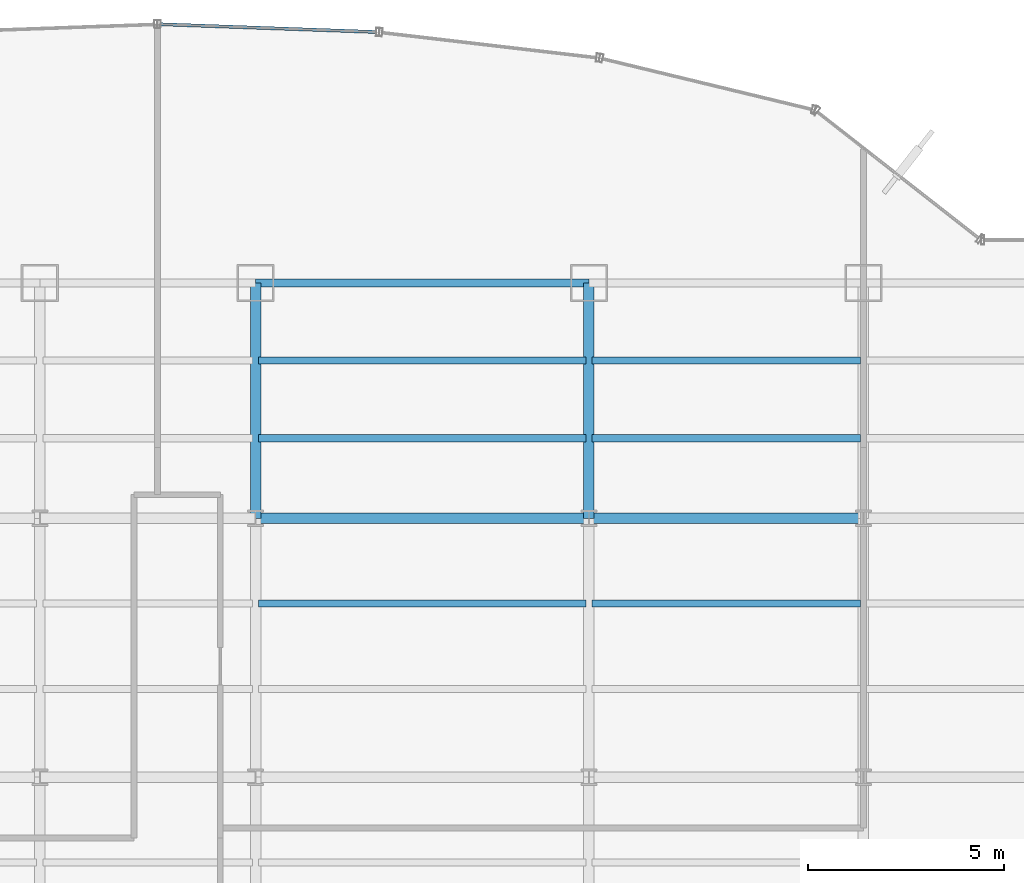
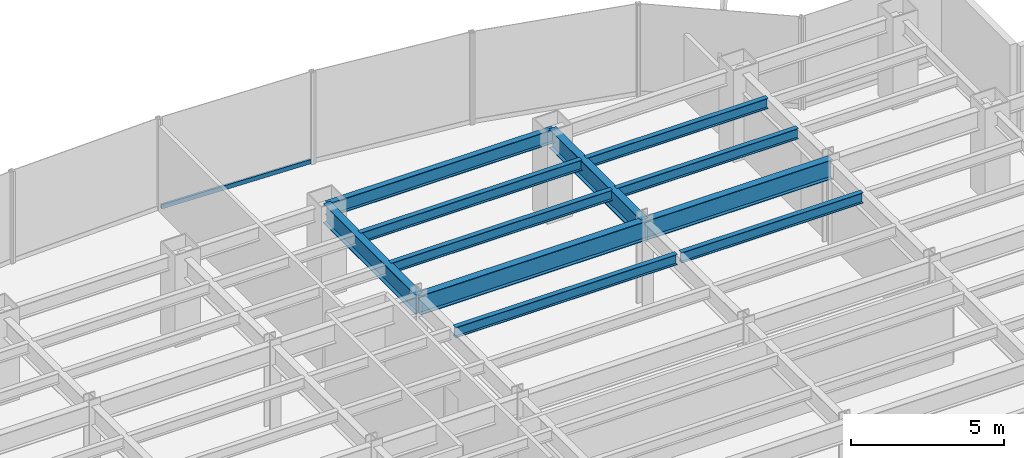
# One storey, part 14 of 23: 11 beams, 1 member, 1 element without a shape of its own.
"""IFC4 building model written with IfcOpenShell, lengths in metres."""

from ifc_helpers import new_model, si_unit, derived_unit, direction, frame, origin, origin_2d, place, context, subcontext, project, spatial, hollow_rectangle, i_section, extrude, source, transform, mapped, material, material_profile, profile_set, type_object, element, aggregate, save


model = new_model("IFC4")

# Units and contexts
model_context = context("Model", 3, precision=1e-05, world=origin(), true_north=direction((0.0, 1.0)))
body_context = subcontext(model_context, "Body", "Model", "MODEL_VIEW")
ifc_project = project(units=[si_unit("LENGTHUNIT", "METRE"), si_unit("AREAUNIT", "SQUARE_METRE"), si_unit("VOLUMEUNIT", "CUBIC_METRE"), si_unit("PLANEANGLEUNIT", "RADIAN"), si_unit("MASSUNIT", "GRAM", prefix="KILO"), derived_unit("THERMALTRANSMITTANCEUNIT", [(si_unit("POWERUNIT", "WATT"), 1), (si_unit("LENGTHUNIT", "METRE"), -2), (si_unit("THERMODYNAMICTEMPERATUREUNIT", "KELVIN"), -1)])], contexts=[model_context])

# Site, building, storey
site_placement = place(None, origin())
site = spatial("IfcSite", under=ifc_project, at=site_placement, CompositionType="ELEMENT")
building_placement = place(site_placement, origin())
building = spatial("IfcBuilding", under=site, at=building_placement, Name="Skarnbrae Concourse Arena and Tower", CompositionType="ELEMENT")
storey_placement = place(building_placement, frame((0.0, 0.0, 43.449951171875)))
storey = spatial("IfcBuildingStorey", under=building, at=storey_placement, Name="L09", CompositionType="ELEMENT", Elevation=43.449951171875)

# Beams
ifc_material_1 = material(Name="Steel CSA G40.21 350W", Category="steel")
ifc_material_profile_1 = material_profile(ifc_material_1, i_section(OverallWidth=0.26806640625, OverallDepth=0.77001953125, WebThickness=0.015625, FlangeThickness=0.025390625, at=origin_2d()), Name="W760X196")
ifc_profile_set_1 = profile_set([ifc_material_profile_1], Name="Steel CSA G40.21 350W")
beam_type_1 = type_object("IfcBeamType", Name="BM-GIRD-W760X196", PredefinedType="BEAM", material=ifc_profile_set_1)
shared_shape_1 = source(origin(), body_context, "Body", "SweptSolid", [
    extrude(i_section(OverallWidth=0.26806640625, OverallDepth=0.77001953125, WebThickness=0.015625, FlangeThickness=0.025390625, at=origin_2d()), origin(), (0.0, 0.0, 1.0), 7.0),
])
beam_1_placement = place(storey_placement, frame((42.0, 34.39990234375, 3.01513671875), z_axis=(1.0, 0.0, 0.0), x_axis=(0.0, 1.0, 0.0)))
element("IfcBeam", 1, at=beam_1_placement, inside=storey, type_object=beam_type_1, Name="L09 Primary E-W girder Y34.4-7", PredefinedType="BEAM", context=body_context, shape_type="MappedRepresentation", body=[
    mapped(shared_shape_1, transform((0.0, 0.0, 0.0))),
])
shared_shape_2 = source(origin(), body_context, "Body", "SweptSolid", [
    extrude(i_section(OverallWidth=0.26806640625, OverallDepth=0.77001953125, WebThickness=0.015625, FlangeThickness=0.025390625, at=origin_2d()), origin(), (0.0, 0.0, 1.0), 8.5),
])
beam_2_placement = place(storey_placement, frame((33.5, 34.39990234375, 3.01513671875), z_axis=(1.0, 0.0, 0.0), x_axis=(0.0, 1.0, 0.0)))
element("IfcBeam", 2, at=beam_2_placement, inside=storey, type_object=beam_type_1, Name="L09 Primary E-W girder Y34.4-6", PredefinedType="BEAM", context=body_context, shape_type="MappedRepresentation", body=[
    mapped(shared_shape_2, transform((0.0, 0.0, 0.0))),
])
shared_shape_3 = source(origin(), body_context, "Body", "SweptSolid", [
    extrude(i_section(OverallWidth=0.26806640625, OverallDepth=0.77001953125, WebThickness=0.015625, FlangeThickness=0.025390625, at=origin_2d()), origin(), (0.0, 0.0, 1.0), 6.0),
])
for number, where, z_axis, x_axis, name in (
    (3, (33.5, 34.39990234375, 3.01513671875), (0.0, 1.0, 0.0), (-1.0, 0.0, 0.0), "L09 Primary N-S girder X33.5-4"),
    (4, (42.0, 34.39990234375, 3.01513671875), (0.0, 1.0, 0.0), (-1.0, 0.0, 0.0), "L09 Primary N-S girder X42.0-5"),
):
    element("IfcBeam", number, at=place(storey_placement, frame(where, z_axis=z_axis, x_axis=x_axis)), inside=storey, type_object=beam_type_1, Name=name, PredefinedType="BEAM", context=body_context, shape_type="MappedRepresentation", body=[
        mapped(shared_shape_3, transform((0.0, 0.0, 0.0))),
    ])
ifc_material_profile_2 = material_profile(ifc_material_1, i_section(OverallWidth=0.214111328125, OverallDepth=0.549072265625, WebThickness=0.0146484375, FlangeThickness=0.023681640625, at=origin_2d()), Name="W530X138")
ifc_profile_set_2 = profile_set([ifc_material_profile_2], Name="Steel CSA G40.21 350W")
beam_type_2 = type_object("IfcBeamType", Name="BM-SPAN-W530X138", PredefinedType="SPANDREL", material=ifc_profile_set_2)
shared_shape_4 = source(origin(), body_context, "Body", "SweptSolid", [
    extrude(i_section(OverallWidth=0.214111328125, OverallDepth=0.549072265625, WebThickness=0.0146484375, FlangeThickness=0.023681640625, at=origin_2d()), origin(), (0.0, 0.0, 1.0), 8.5),
])
beam_3_placement = place(storey_placement, frame((33.5, 40.39990234375, 3.12548828125), z_axis=(1.0, 0.0, 0.0), x_axis=(0.0, 1.0, 0.0)))
element("IfcBeam", 5, at=beam_3_placement, inside=storey, type_object=beam_type_2, Name="L09 Perimeter spandrel Y40.4-5", PredefinedType="SPANDREL", context=body_context, shape_type="MappedRepresentation", body=[
    mapped(shared_shape_4, transform((0.0, 0.0, 0.0))),
])
ifc_material_profile_3 = material_profile(ifc_material_1, i_section(OverallWidth=0.180908203125, OverallDepth=0.4169921875, WebThickness=0.010986328125, FlangeThickness=0.018310546875, at=origin_2d()), Name="W410X85")
ifc_profile_set_3 = profile_set([ifc_material_profile_3], Name="Steel CSA G40.21 350W")
beam_type_3 = type_object("IfcBeamType", Name="BM-JOIST-W410X85", PredefinedType="JOIST", material=ifc_profile_set_3)
shared_shape_5 = source(origin(), body_context, "Body", "SweptSolid", [
    extrude(i_section(OverallWidth=0.180908203125, OverallDepth=0.4169921875, WebThickness=0.010986328125, FlangeThickness=0.018310546875, at=origin_2d()), origin(), (0.0, 0.0, 1.0), 8.33984375),
])
for number, where, z_axis, x_axis, name in (
    (6, (33.580078125, 32.221923828125, 3.191650390625), (1.0, 0.0, 0.0), (0.0, 1.0, 0.0), "L09 Secondary floor joist 3.2.6"),
    (7, (33.580078125, 36.43994140625, 3.191650390625), (1.0, 0.0, 0.0), (0.0, 1.0, 0.0), "L09 Secondary floor joist 4.1.5"),
    (8, (33.580078125, 38.419921875, 3.191650390625), (1.0, 0.0, 0.0), (0.0, 1.0, 0.0), "L09 Secondary floor joist 4.2.5"),
):
    element("IfcBeam", number, at=place(storey_placement, frame(where, z_axis=z_axis, x_axis=x_axis)), inside=storey, type_object=beam_type_3, Name=name, PredefinedType="JOIST", context=body_context, shape_type="MappedRepresentation", body=[
        mapped(shared_shape_5, transform((0.0, 0.0, 0.0))),
    ])
shared_shape_6 = source(origin(), body_context, "Body", "SweptSolid", [
    extrude(i_section(OverallWidth=0.180908203125, OverallDepth=0.4169921875, WebThickness=0.010986328125, FlangeThickness=0.018310546875, at=origin_2d()), origin(), (0.0, 0.0, 1.0), 6.83984375),
])
for number, where, z_axis, x_axis, name in (
    (9, (42.080078125, 32.221923828125, 3.191650390625), (1.0, 0.0, 0.0), (0.0, 1.0, 0.0), "L09 Secondary floor joist 3.2.7"),
    (10, (42.080078125, 36.43994140625, 3.191650390625), (1.0, 0.0, 0.0), (0.0, 1.0, 0.0), "L09 Secondary floor joist 4.1.6"),
    (11, (42.080078125, 38.419921875, 3.191650390625), (1.0, 0.0, 0.0), (0.0, 1.0, 0.0), "L09 Secondary floor joist 4.2.6"),
):
    element("IfcBeam", number, at=place(storey_placement, frame(where, z_axis=z_axis, x_axis=x_axis)), inside=storey, type_object=beam_type_3, Name=name, PredefinedType="JOIST", context=body_context, shape_type="MappedRepresentation", body=[
        mapped(shared_shape_6, transform((0.0, 0.0, 0.0))),
    ])

# Curtain wall, member
ifc_material_2 = material(Name="Bronze anodised aluminium 6063-T6", Category="aluminium")
curtain_wall_type = type_object("IfcCurtainWallType", Name="CW-SYS-03-PORTAL", PredefinedType="USERDEFINED", material=ifc_material_2)
curtain_wall_placement = place(storey_placement, origin())
curtain_wall = element("IfcCurtainWall", 12, at=curtain_wall_placement, inside=storey, type_object=curtain_wall_type, Name="L09 Unitised curtain wall CW-L09-E11", ObjectType="UNITISED CURTAIN WALL", PredefinedType="USERDEFINED")
ifc_material_profile_4 = material_profile(ifc_material_2, hollow_rectangle(XDim=0.080078125, YDim=0.169921875, WallThickness=0.00439453125, at=origin_2d()), Name="ALU-TRAN-80X170")
ifc_profile_set_4 = profile_set([ifc_material_profile_4], Name="Bronze anodised aluminium 6063-T6")
member_type = type_object("IfcMemberType", Name="CWT-CW-03", PredefinedType="USERDEFINED", material=ifc_profile_set_4)
shared_shape_7 = source(origin(), body_context, "Body", "SweptSolid", [
    extrude(hollow_rectangle(XDim=0.080078125, YDim=0.169921875, WallThickness=0.00439453125, at=origin_2d()), origin(), (0.0, 0.0, 1.0), 5.497802734375),
])
member_placement = place(storey_placement, frame((36.573974609375, 46.7998046875, 0.0849609375), z_axis=(-0.999356047798, 0.03588160712, 0.0), x_axis=(-0.03588160712, -0.999356047798, 0.0)))
member = element("IfcMember", 13, at=member_placement, type_object=member_type, Name="CW-L09-E11 Transom 1", ObjectType="TRANSOM", PredefinedType="USERDEFINED", context=body_context, shape_type="MappedRepresentation", body=[
    mapped(shared_shape_7, transform((0.0, 0.0, 0.0))),
])
aggregate(curtain_wall, [member])

save(model, "model.ifc")
